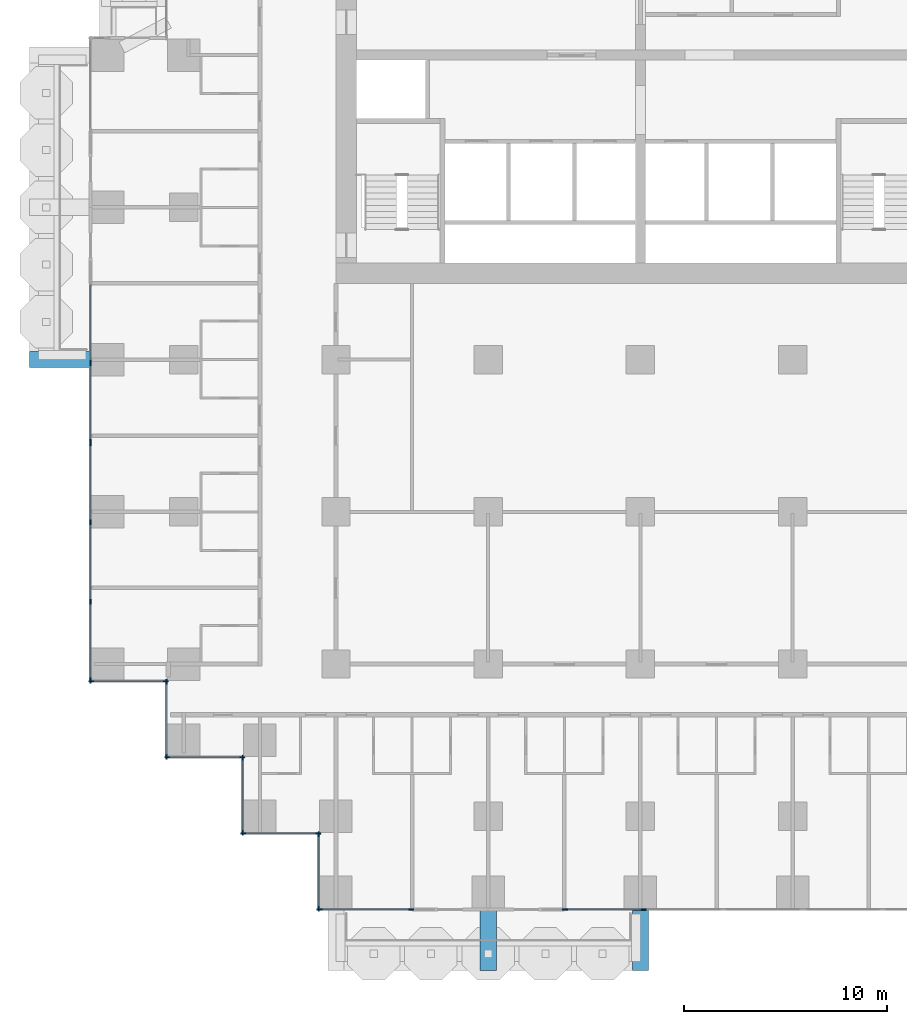
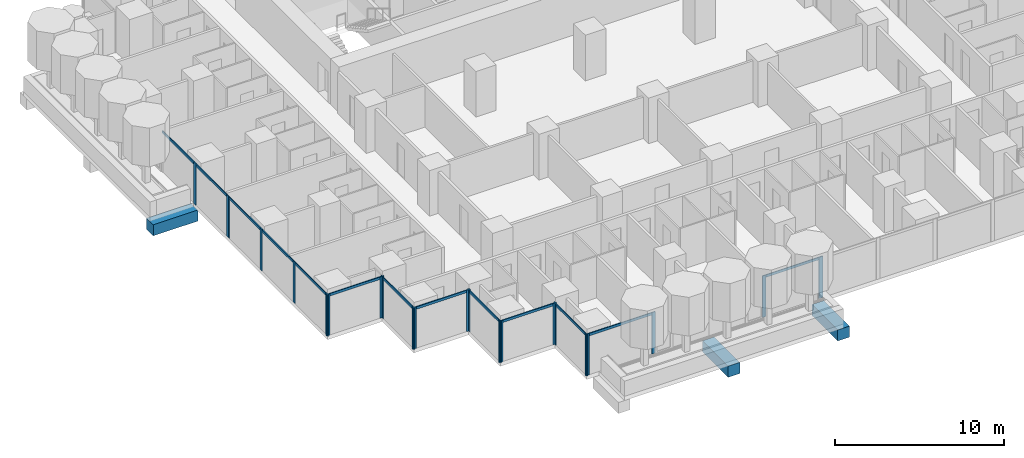
# One storey, part 2 of 18: 35 members, 3 beams, 10 elements without a shape of their own.
"""IFC4 building model written with IfcOpenShell, lengths in metres."""

from ifc_helpers import new_model, si_unit, direction, frame, origin, origin_2d, place, context, subcontext, project, spatial, rectangle, extrude, material, material_profile, profile_set, type_object, element, aggregate, save


model = new_model("IFC4")

# Units and contexts
model_context = context("Model", 3, precision=1e-05, world=origin(), true_north=direction((0.0, 1.0)))
body_context = subcontext(model_context, "Body", "Model", "MODEL_VIEW")
ifc_project = project(units=[si_unit("LENGTHUNIT", "METRE"), si_unit("AREAUNIT", "SQUARE_METRE"), si_unit("VOLUMEUNIT", "CUBIC_METRE"), si_unit("PLANEANGLEUNIT", "RADIAN"), si_unit("MASSUNIT", "GRAM", prefix="KILO")], contexts=[model_context])

# Site, building, storey
site_placement = place(None, origin())
site = spatial("IfcSite", under=ifc_project, at=site_placement, CompositionType="ELEMENT")
building_placement = place(site_placement, origin())
building = spatial("IfcBuilding", under=site, at=building_placement, Name="Pilkhan Gate Tower", CompositionType="ELEMENT")
storey_placement = place(building_placement, frame((0.0, 0.0, 42.800048828125)))
storey = spatial("IfcBuildingStorey", under=building, at=storey_placement, Name="L07", CompositionType="ELEMENT", Elevation=42.800048828125)

# Beams
ifc_material_1 = material(Name="Concrete C50/60", Category="concrete")
ifc_material_profile_1 = material_profile(ifc_material_1, rectangle(XDim=0.800048828125, YDim=0.800048828125, at=origin_2d()), Name="RC 800x800")
ifc_profile_set_1 = profile_set([ifc_material_profile_1], Name="Concrete C50/60")
beam_type = type_object("IfcBeamType", Name="Cantilever beam CB2 RC 800x800 C50/60", PredefinedType="BEAM", material=ifc_profile_set_1)
for number, where, z_axis, x_axis, name in (
    (1, (67.5, 40.449951171875, -0.699951171875), (0.0, -1.0, 0.0), (1.0, 0.0, 0.0), "Balcony beam S.2 L07"),
    (2, (75.0, 40.449951171875, -0.699951171875), (0.0, -1.0, 0.0), (1.0, 0.0, 0.0), "Balcony beam S.3 L07"),
    (3, (47.949951171875, 67.5, -0.699951171875), (-1.0, 0.0, 0.0), (0.0, -1.0, 0.0), "Balcony beam W.1 L07"),
):
    element("IfcBeam", number, at=place(storey_placement, frame(where, z_axis=z_axis, x_axis=x_axis)), inside=storey, type_object=beam_type, Name=name, PredefinedType="BEAM", context=body_context, shape_type="SweptSolid", body=[
        extrude(rectangle(XDim=0.800048828125, YDim=0.800048828125, at=origin_2d()), origin(), (0.0, 0.0, 1.0), 3.050048828125),
    ])

# Curtain wall, members
ifc_material_2 = material(Name="Pale anodised aluminium, clear low-iron double glazing", Category="aluminium")
curtain_wall_type = type_object("IfcCurtainWallType", Name="Hotel unitised curtain wall CW-H", PredefinedType="USERDEFINED", material=ifc_material_2)
curtain_wall_1_placement = place(storey_placement, origin())
curtain_wall_1 = element("IfcCurtainWall", 4, at=curtain_wall_1_placement, inside=storey, type_object=curtain_wall_type, Name="Hotel unitised curtain wall CW-H L07 W", ObjectType="UNITISED CURTAIN WALL", PredefinedType="USERDEFINED")
ifc_material_3 = material(Name="Pale anodised aluminium", Category="aluminium")
ifc_material_profile_2 = material_profile(ifc_material_3, rectangle(XDim=0.06494140625, YDim=0.25, at=origin_2d()), Name="Mullion 250x65")
ifc_profile_set_2 = profile_set([ifc_material_profile_2], Name="Pale anodised aluminium")
member_type_1 = type_object("IfcMemberType", Name="Mullion CW-H 250x65", PredefinedType="MULLION", material=ifc_profile_set_2)
member_1_placement = place(storey_placement, frame((47.905029296875, 51.6875, 0.0), z_axis=(0.0, 0.0, 1.0), x_axis=(-1.0, 0.0, 0.0)))
member_1 = element("IfcMember", 5, at=member_1_placement, type_object=member_type_1, Name="CW-H mullion 1", PredefinedType="MULLION", context=body_context, shape_type="SweptSolid", body=[
    extrude(rectangle(XDim=0.06494140625, YDim=0.25, at=origin_2d()), origin(), (0.0, 0.0, 1.0), 3.0),
])
member_2_placement = place(storey_placement, frame((47.905029296875, 55.573974609375, 0.0), z_axis=(0.0, 0.0, 1.0), x_axis=(-1.0, 0.0, 0.0)))
member_2 = element("IfcMember", 6, at=member_2_placement, type_object=member_type_1, Name="CW-H mullion 2", PredefinedType="MULLION", context=body_context, shape_type="SweptSolid", body=[
    extrude(rectangle(XDim=0.06494140625, YDim=0.25, at=origin_2d()), origin(), (0.0, 0.0, 1.0), 3.0),
])
member_3_placement = place(storey_placement, frame((47.905029296875, 59.492919921875, 0.0), z_axis=(0.0, 0.0, 1.0), x_axis=(-1.0, 0.0, 0.0)))
member_3 = element("IfcMember", 7, at=member_3_placement, type_object=member_type_1, Name="CW-H mullion 3", PredefinedType="MULLION", context=body_context, shape_type="SweptSolid", body=[
    extrude(rectangle(XDim=0.06494140625, YDim=0.25, at=origin_2d()), origin(), (0.0, 0.0, 1.0), 3.0),
])
member_4_placement = place(storey_placement, frame((47.905029296875, 63.37939453125, 0.0), z_axis=(0.0, 0.0, 1.0), x_axis=(-1.0, 0.0, 0.0)))
member_4 = element("IfcMember", 8, at=member_4_placement, type_object=member_type_1, Name="CW-H mullion 4", PredefinedType="MULLION", context=body_context, shape_type="SweptSolid", body=[
    extrude(rectangle(XDim=0.06494140625, YDim=0.25, at=origin_2d()), origin(), (0.0, 0.0, 1.0), 3.0),
])

curtain_wall_2_placement = place(storey_placement, origin())
curtain_wall_2 = element("IfcCurtainWall", 9, at=curtain_wall_2_placement, inside=storey, type_object=curtain_wall_type, Name="Hotel unitised curtain wall CW-H L07 W", ObjectType="UNITISED CURTAIN WALL", PredefinedType="USERDEFINED")
member_5_placement = place(storey_placement, frame((47.905029296875, 63.444580078125, 0.0), z_axis=(0.0, 0.0, 1.0), x_axis=(-1.0, 0.0, 0.0)))
member_5 = element("IfcMember", 10, at=member_5_placement, type_object=member_type_1, Name="CW-H mullion 1", PredefinedType="MULLION", context=body_context, shape_type="SweptSolid", body=[
    extrude(rectangle(XDim=0.06494140625, YDim=0.25, at=origin_2d()), origin(), (0.0, 0.0, 1.0), 3.0),
])
member_6_placement = place(storey_placement, frame((47.905029296875, 67.3310546875, 0.0), z_axis=(0.0, 0.0, 1.0), x_axis=(-1.0, 0.0, 0.0)))
member_6 = element("IfcMember", 11, at=member_6_placement, type_object=member_type_1, Name="CW-H mullion 2", PredefinedType="MULLION", context=body_context, shape_type="SweptSolid", body=[
    extrude(rectangle(XDim=0.06494140625, YDim=0.25, at=origin_2d()), origin(), (0.0, 0.0, 1.0), 3.0),
])

curtain_wall_3_placement = place(storey_placement, origin())
curtain_wall_3 = element("IfcCurtainWall", 12, at=curtain_wall_3_placement, inside=storey, type_object=curtain_wall_type, Name="Hotel unitised curtain wall CW-H L07 S", ObjectType="UNITISED CURTAIN WALL", PredefinedType="USERDEFINED")
member_7_placement = place(storey_placement, frame((47.9375, 51.655029296875, 0.0), z_axis=(0.0, 0.0, 1.0), x_axis=(0.0, 1.0, 0.0)))
member_7 = element("IfcMember", 13, at=member_7_placement, type_object=member_type_1, Name="CW-H mullion 1", PredefinedType="MULLION", context=body_context, shape_type="SweptSolid", body=[
    extrude(rectangle(XDim=0.06494140625, YDim=0.25, at=origin_2d()), origin(), (0.0, 0.0, 1.0), 3.0),
])
member_8_placement = place(storey_placement, frame((51.62255859375, 51.655029296875, 0.0), z_axis=(0.0, 0.0, 1.0), x_axis=(0.0, 1.0, 0.0)))
member_8 = element("IfcMember", 14, at=member_8_placement, type_object=member_type_1, Name="CW-H mullion 2", PredefinedType="MULLION", context=body_context, shape_type="SweptSolid", body=[
    extrude(rectangle(XDim=0.06494140625, YDim=0.25, at=origin_2d()), origin(), (0.0, 0.0, 1.0), 3.0),
])

curtain_wall_4_placement = place(storey_placement, origin())
curtain_wall_4 = element("IfcCurtainWall", 15, at=curtain_wall_4_placement, inside=storey, type_object=curtain_wall_type, Name="Hotel unitised curtain wall CW-H L07 W", ObjectType="UNITISED CURTAIN WALL", PredefinedType="USERDEFINED")
member_9_placement = place(storey_placement, frame((51.655029296875, 47.9375, 0.0), z_axis=(0.0, 0.0, 1.0), x_axis=(-1.0, 0.0, 0.0)))
member_9 = element("IfcMember", 16, at=member_9_placement, type_object=member_type_1, Name="CW-H mullion 1", PredefinedType="MULLION", context=body_context, shape_type="SweptSolid", body=[
    extrude(rectangle(XDim=0.06494140625, YDim=0.25, at=origin_2d()), origin(), (0.0, 0.0, 1.0), 3.0),
])
member_10_placement = place(storey_placement, frame((51.655029296875, 51.62255859375, 0.0), z_axis=(0.0, 0.0, 1.0), x_axis=(-1.0, 0.0, 0.0)))
member_10 = element("IfcMember", 17, at=member_10_placement, type_object=member_type_1, Name="CW-H mullion 2", PredefinedType="MULLION", context=body_context, shape_type="SweptSolid", body=[
    extrude(rectangle(XDim=0.06494140625, YDim=0.25, at=origin_2d()), origin(), (0.0, 0.0, 1.0), 3.0),
])

curtain_wall_5_placement = place(storey_placement, origin())
curtain_wall_5 = element("IfcCurtainWall", 18, at=curtain_wall_5_placement, inside=storey, type_object=curtain_wall_type, Name="Hotel unitised curtain wall CW-H L07 S", ObjectType="UNITISED CURTAIN WALL", PredefinedType="USERDEFINED")
member_11_placement = place(storey_placement, frame((51.6875, 47.905029296875, 0.0), z_axis=(0.0, 0.0, 1.0), x_axis=(0.0, 1.0, 0.0)))
member_11 = element("IfcMember", 19, at=member_11_placement, type_object=member_type_1, Name="CW-H mullion 1", PredefinedType="MULLION", context=body_context, shape_type="SweptSolid", body=[
    extrude(rectangle(XDim=0.06494140625, YDim=0.25, at=origin_2d()), origin(), (0.0, 0.0, 1.0), 3.0),
])
member_12_placement = place(storey_placement, frame((55.37255859375, 47.905029296875, 0.0), z_axis=(0.0, 0.0, 1.0), x_axis=(0.0, 1.0, 0.0)))
member_12 = element("IfcMember", 20, at=member_12_placement, type_object=member_type_1, Name="CW-H mullion 2", PredefinedType="MULLION", context=body_context, shape_type="SweptSolid", body=[
    extrude(rectangle(XDim=0.06494140625, YDim=0.25, at=origin_2d()), origin(), (0.0, 0.0, 1.0), 3.0),
])

curtain_wall_6_placement = place(storey_placement, origin())
curtain_wall_6 = element("IfcCurtainWall", 21, at=curtain_wall_6_placement, inside=storey, type_object=curtain_wall_type, Name="Hotel unitised curtain wall CW-H L07 W", ObjectType="UNITISED CURTAIN WALL", PredefinedType="USERDEFINED")
member_13_placement = place(storey_placement, frame((55.405029296875, 44.1875, 0.0), z_axis=(0.0, 0.0, 1.0), x_axis=(-1.0, 0.0, 0.0)))
member_13 = element("IfcMember", 22, at=member_13_placement, type_object=member_type_1, Name="CW-H mullion 1", PredefinedType="MULLION", context=body_context, shape_type="SweptSolid", body=[
    extrude(rectangle(XDim=0.06494140625, YDim=0.25, at=origin_2d()), origin(), (0.0, 0.0, 1.0), 3.0),
])
member_14_placement = place(storey_placement, frame((55.405029296875, 47.87255859375, 0.0), z_axis=(0.0, 0.0, 1.0), x_axis=(-1.0, 0.0, 0.0)))
member_14 = element("IfcMember", 23, at=member_14_placement, type_object=member_type_1, Name="CW-H mullion 2", PredefinedType="MULLION", context=body_context, shape_type="SweptSolid", body=[
    extrude(rectangle(XDim=0.06494140625, YDim=0.25, at=origin_2d()), origin(), (0.0, 0.0, 1.0), 3.0),
])

curtain_wall_7_placement = place(storey_placement, origin())
curtain_wall_7 = element("IfcCurtainWall", 24, at=curtain_wall_7_placement, inside=storey, type_object=curtain_wall_type, Name="Hotel unitised curtain wall CW-H L07 S", ObjectType="UNITISED CURTAIN WALL", PredefinedType="USERDEFINED")
member_15_placement = place(storey_placement, frame((55.4375, 44.155029296875, 0.0), z_axis=(0.0, 0.0, 1.0), x_axis=(0.0, 1.0, 0.0)))
member_15 = element("IfcMember", 25, at=member_15_placement, type_object=member_type_1, Name="CW-H mullion 1", PredefinedType="MULLION", context=body_context, shape_type="SweptSolid", body=[
    extrude(rectangle(XDim=0.06494140625, YDim=0.25, at=origin_2d()), origin(), (0.0, 0.0, 1.0), 3.0),
])
member_16_placement = place(storey_placement, frame((59.12255859375, 44.155029296875, 0.0), z_axis=(0.0, 0.0, 1.0), x_axis=(0.0, 1.0, 0.0)))
member_16 = element("IfcMember", 26, at=member_16_placement, type_object=member_type_1, Name="CW-H mullion 2", PredefinedType="MULLION", context=body_context, shape_type="SweptSolid", body=[
    extrude(rectangle(XDim=0.06494140625, YDim=0.25, at=origin_2d()), origin(), (0.0, 0.0, 1.0), 3.0),
])

curtain_wall_8_placement = place(storey_placement, origin())
curtain_wall_8 = element("IfcCurtainWall", 27, at=curtain_wall_8_placement, inside=storey, type_object=curtain_wall_type, Name="Hotel unitised curtain wall CW-H L07 W", ObjectType="UNITISED CURTAIN WALL", PredefinedType="USERDEFINED")
member_17_placement = place(storey_placement, frame((59.155029296875, 40.4375, 0.0), z_axis=(0.0, 0.0, 1.0), x_axis=(-1.0, 0.0, 0.0)))
member_17 = element("IfcMember", 28, at=member_17_placement, type_object=member_type_1, Name="CW-H mullion 1", PredefinedType="MULLION", context=body_context, shape_type="SweptSolid", body=[
    extrude(rectangle(XDim=0.06494140625, YDim=0.25, at=origin_2d()), origin(), (0.0, 0.0, 1.0), 3.0),
])
member_18_placement = place(storey_placement, frame((59.155029296875, 44.12255859375, 0.0), z_axis=(0.0, 0.0, 1.0), x_axis=(-1.0, 0.0, 0.0)))
member_18 = element("IfcMember", 29, at=member_18_placement, type_object=member_type_1, Name="CW-H mullion 2", PredefinedType="MULLION", context=body_context, shape_type="SweptSolid", body=[
    extrude(rectangle(XDim=0.06494140625, YDim=0.25, at=origin_2d()), origin(), (0.0, 0.0, 1.0), 3.0),
])

curtain_wall_9_placement = place(storey_placement, origin())
curtain_wall_9 = element("IfcCurtainWall", 30, at=curtain_wall_9_placement, inside=storey, type_object=curtain_wall_type, Name="Hotel unitised curtain wall CW-H L07 S", ObjectType="UNITISED CURTAIN WALL", PredefinedType="USERDEFINED")
member_19_placement = place(storey_placement, frame((59.1875, 40.405029296875, 0.0), z_axis=(0.0, 0.0, 1.0), x_axis=(0.0, 1.0, 0.0)))
member_19 = element("IfcMember", 31, at=member_19_placement, type_object=member_type_1, Name="CW-H mullion 1", PredefinedType="MULLION", context=body_context, shape_type="SweptSolid", body=[
    extrude(rectangle(XDim=0.06494140625, YDim=0.25, at=origin_2d()), origin(), (0.0, 0.0, 1.0), 3.0),
])
member_20_placement = place(storey_placement, frame((63.717529296875, 40.405029296875, 0.0), z_axis=(0.0, 0.0, 1.0), x_axis=(0.0, 1.0, 0.0)))
member_20 = element("IfcMember", 32, at=member_20_placement, type_object=member_type_1, Name="CW-H mullion 2", PredefinedType="MULLION", context=body_context, shape_type="SweptSolid", body=[
    extrude(rectangle(XDim=0.06494140625, YDim=0.25, at=origin_2d()), origin(), (0.0, 0.0, 1.0), 3.0),
])

curtain_wall_10_placement = place(storey_placement, origin())
curtain_wall_10 = element("IfcCurtainWall", 33, at=curtain_wall_10_placement, inside=storey, type_object=curtain_wall_type, Name="Hotel unitised curtain wall CW-H L07 S", ObjectType="UNITISED CURTAIN WALL", PredefinedType="USERDEFINED")
member_21_placement = place(storey_placement, frame((71.282470703125, 40.405029296875, 0.0), z_axis=(0.0, 0.0, 1.0), x_axis=(0.0, 1.0, 0.0)))
member_21 = element("IfcMember", 34, at=member_21_placement, type_object=member_type_1, Name="CW-H mullion 1", PredefinedType="MULLION", context=body_context, shape_type="SweptSolid", body=[
    extrude(rectangle(XDim=0.06494140625, YDim=0.25, at=origin_2d()), origin(), (0.0, 0.0, 1.0), 3.0),
])
member_22_placement = place(storey_placement, frame((75.1689453125, 40.405029296875, 0.0), z_axis=(0.0, 0.0, 1.0), x_axis=(0.0, 1.0, 0.0)))
member_22 = element("IfcMember", 35, at=member_22_placement, type_object=member_type_1, Name="CW-H mullion 2", PredefinedType="MULLION", context=body_context, shape_type="SweptSolid", body=[
    extrude(rectangle(XDim=0.06494140625, YDim=0.25, at=origin_2d()), origin(), (0.0, 0.0, 1.0), 3.0),
])

# Member
ifc_material_profile_3 = material_profile(ifc_material_3, rectangle(XDim=0.06494140625, YDim=0.179931640625, at=origin_2d()), Name="Transom 180x65")
ifc_profile_set_3 = profile_set([ifc_material_profile_3], Name="Pale anodised aluminium")
member_type_2 = type_object("IfcMemberType", Name="Transom CW-H 180x65", PredefinedType="USERDEFINED", material=ifc_profile_set_3)
member_23_placement = place(storey_placement, frame((47.905029296875, 51.719970703125, 2.909912109375), z_axis=(0.0, 1.0, 0.0), x_axis=(-1.0, 0.0, 0.0)))
member_23 = element("IfcMember", 36, at=member_23_placement, type_object=member_type_2, Name="CW-H transom 1", ObjectType="TRANSOM", PredefinedType="USERDEFINED", context=body_context, shape_type="SweptSolid", body=[
    extrude(rectangle(XDim=0.06494140625, YDim=0.179931640625, at=origin_2d()), origin(), (0.0, 0.0, 1.0), 3.821533203125),
])

member_24_placement = place(storey_placement, frame((47.905029296875, 55.6064453125, 2.909912109375), z_axis=(0.0, 1.0, 0.0), x_axis=(-1.0, 0.0, 0.0)))
member_24 = element("IfcMember", 37, at=member_24_placement, type_object=member_type_2, Name="CW-H transom 2", ObjectType="TRANSOM", PredefinedType="USERDEFINED", context=body_context, shape_type="SweptSolid", body=[
    extrude(rectangle(XDim=0.06494140625, YDim=0.179931640625, at=origin_2d()), origin(), (0.0, 0.0, 1.0), 3.85400390625),
])

member_25_placement = place(storey_placement, frame((47.905029296875, 59.525390625, 2.909912109375), z_axis=(0.0, 1.0, 0.0), x_axis=(-1.0, 0.0, 0.0)))
member_25 = element("IfcMember", 38, at=member_25_placement, type_object=member_type_2, Name="CW-H transom 3", ObjectType="TRANSOM", PredefinedType="USERDEFINED", context=body_context, shape_type="SweptSolid", body=[
    extrude(rectangle(XDim=0.06494140625, YDim=0.179931640625, at=origin_2d()), origin(), (0.0, 0.0, 1.0), 3.821533203125),
])

aggregate(curtain_wall_1, [member_1, member_2, member_3, member_4, member_23, member_24, member_25])

member_26_placement = place(storey_placement, frame((47.905029296875, 63.47705078125, 2.909912109375), z_axis=(0.0, 1.0, 0.0), x_axis=(-1.0, 0.0, 0.0)))
member_26 = element("IfcMember", 39, at=member_26_placement, type_object=member_type_2, Name="CW-H transom 1", ObjectType="TRANSOM", PredefinedType="USERDEFINED", context=body_context, shape_type="SweptSolid", body=[
    extrude(rectangle(XDim=0.06494140625, YDim=0.179931640625, at=origin_2d()), origin(), (0.0, 0.0, 1.0), 3.821533203125),
])

member_27_placement = place(storey_placement, frame((47.905029296875, 67.363525390625, 2.909912109375), z_axis=(0.0, 1.0, 0.0), x_axis=(-1.0, 0.0, 0.0)))
member_27 = element("IfcMember", 40, at=member_27_placement, type_object=member_type_2, Name="CW-H transom 2", ObjectType="TRANSOM", PredefinedType="USERDEFINED", context=body_context, shape_type="SweptSolid", body=[
    extrude(rectangle(XDim=0.06494140625, YDim=0.179931640625, at=origin_2d()), origin(), (0.0, 0.0, 1.0), 3.821533203125),
])

aggregate(curtain_wall_2, [member_5, member_6, member_26, member_27])

member_28_placement = place(storey_placement, frame((47.969970703125, 51.655029296875, 2.909912109375), z_axis=(1.0, 0.0, 0.0), x_axis=(0.0, 1.0, 0.0)))
member_28 = element("IfcMember", 41, at=member_28_placement, type_object=member_type_2, Name="CW-H transom 1", ObjectType="TRANSOM", PredefinedType="USERDEFINED", context=body_context, shape_type="SweptSolid", body=[
    extrude(rectangle(XDim=0.06494140625, YDim=0.179931640625, at=origin_2d()), origin(), (0.0, 0.0, 1.0), 3.6201171875),
])

aggregate(curtain_wall_3, [member_7, member_8, member_28])

member_29_placement = place(storey_placement, frame((51.655029296875, 47.969970703125, 2.909912109375), z_axis=(0.0, 1.0, 0.0), x_axis=(-1.0, 0.0, 0.0)))
member_29 = element("IfcMember", 42, at=member_29_placement, type_object=member_type_2, Name="CW-H transom 1", ObjectType="TRANSOM", PredefinedType="USERDEFINED", context=body_context, shape_type="SweptSolid", body=[
    extrude(rectangle(XDim=0.06494140625, YDim=0.179931640625, at=origin_2d()), origin(), (0.0, 0.0, 1.0), 3.6201171875),
])

aggregate(curtain_wall_4, [member_9, member_10, member_29])

member_30_placement = place(storey_placement, frame((51.719970703125, 47.905029296875, 2.909912109375), z_axis=(1.0, 0.0, 0.0), x_axis=(0.0, 1.0, 0.0)))
member_30 = element("IfcMember", 43, at=member_30_placement, type_object=member_type_2, Name="CW-H transom 1", ObjectType="TRANSOM", PredefinedType="USERDEFINED", context=body_context, shape_type="SweptSolid", body=[
    extrude(rectangle(XDim=0.06494140625, YDim=0.179931640625, at=origin_2d()), origin(), (0.0, 0.0, 1.0), 3.6201171875),
])

aggregate(curtain_wall_5, [member_11, member_12, member_30])

member_31_placement = place(storey_placement, frame((55.405029296875, 44.219970703125, 2.909912109375), z_axis=(0.0, 1.0, 0.0), x_axis=(-1.0, 0.0, 0.0)))
member_31 = element("IfcMember", 44, at=member_31_placement, type_object=member_type_2, Name="CW-H transom 1", ObjectType="TRANSOM", PredefinedType="USERDEFINED", context=body_context, shape_type="SweptSolid", body=[
    extrude(rectangle(XDim=0.06494140625, YDim=0.179931640625, at=origin_2d()), origin(), (0.0, 0.0, 1.0), 3.6201171875),
])

aggregate(curtain_wall_6, [member_13, member_14, member_31])

member_32_placement = place(storey_placement, frame((55.469970703125, 44.155029296875, 2.909912109375), z_axis=(1.0, 0.0, 0.0), x_axis=(0.0, 1.0, 0.0)))
member_32 = element("IfcMember", 45, at=member_32_placement, type_object=member_type_2, Name="CW-H transom 1", ObjectType="TRANSOM", PredefinedType="USERDEFINED", context=body_context, shape_type="SweptSolid", body=[
    extrude(rectangle(XDim=0.06494140625, YDim=0.179931640625, at=origin_2d()), origin(), (0.0, 0.0, 1.0), 3.6201171875),
])

aggregate(curtain_wall_7, [member_15, member_16, member_32])

member_33_placement = place(storey_placement, frame((59.155029296875, 40.469970703125, 2.909912109375), z_axis=(0.0, 1.0, 0.0), x_axis=(-1.0, 0.0, 0.0)))
member_33 = element("IfcMember", 46, at=member_33_placement, type_object=member_type_2, Name="CW-H transom 1", ObjectType="TRANSOM", PredefinedType="USERDEFINED", context=body_context, shape_type="SweptSolid", body=[
    extrude(rectangle(XDim=0.06494140625, YDim=0.179931640625, at=origin_2d()), origin(), (0.0, 0.0, 1.0), 3.6201171875),
])

aggregate(curtain_wall_8, [member_17, member_18, member_33])

member_34_placement = place(storey_placement, frame((59.219970703125, 40.405029296875, 2.909912109375), z_axis=(1.0, 0.0, 0.0), x_axis=(0.0, 1.0, 0.0)))
member_34 = element("IfcMember", 47, at=member_34_placement, type_object=member_type_2, Name="CW-H transom 1", ObjectType="TRANSOM", PredefinedType="USERDEFINED", context=body_context, shape_type="SweptSolid", body=[
    extrude(rectangle(XDim=0.06494140625, YDim=0.179931640625, at=origin_2d()), origin(), (0.0, 0.0, 1.0), 4.465087890625),
])

aggregate(curtain_wall_9, [member_19, member_20, member_34])

member_35_placement = place(storey_placement, frame((71.31494140625, 40.405029296875, 2.909912109375), z_axis=(1.0, 0.0, 0.0), x_axis=(0.0, 1.0, 0.0)))
member_35 = element("IfcMember", 48, at=member_35_placement, type_object=member_type_2, Name="CW-H transom 1", ObjectType="TRANSOM", PredefinedType="USERDEFINED", context=body_context, shape_type="SweptSolid", body=[
    extrude(rectangle(XDim=0.06494140625, YDim=0.179931640625, at=origin_2d()), origin(), (0.0, 0.0, 1.0), 3.821533203125),
])

aggregate(curtain_wall_10, [member_21, member_22, member_35])

save(model, "model.ifc")
